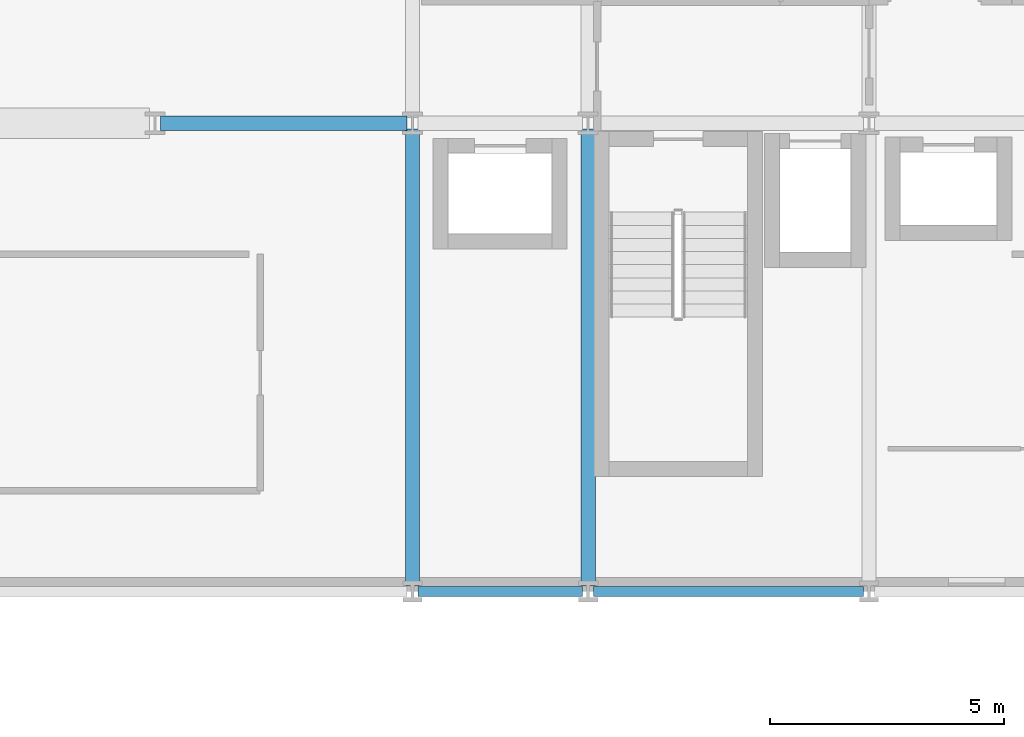
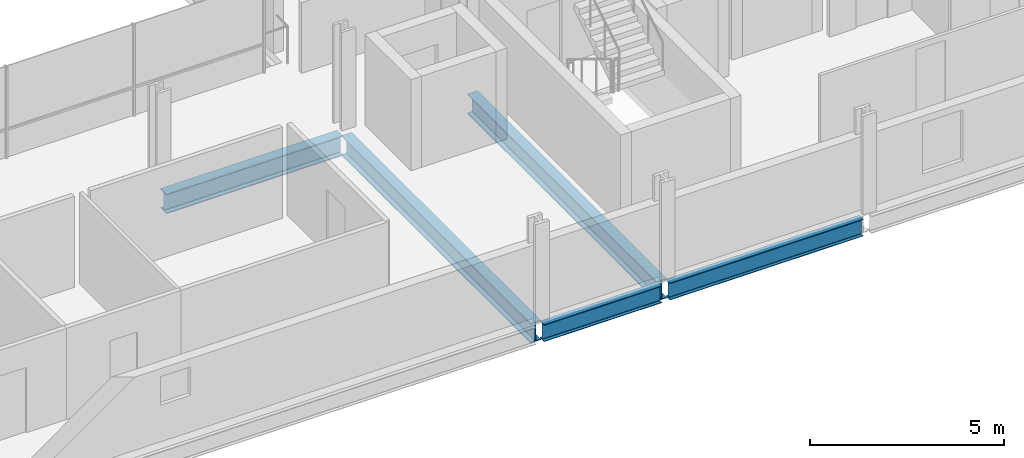
# One storey, part 12 of 40: 5 beams.
"""IFC4 building model written with IfcOpenShell, lengths in metres."""

from ifc_helpers import new_model, si_unit, direction, frame, origin, origin_2d, place, context, subcontext, project, spatial, i_section, extrude, material, material_profile, profile_set, type_object, element, save


model = new_model("IFC4")

# Units and contexts
model_context = context("Model", 3, precision=1e-05, world=origin(), true_north=direction((0.0, 1.0)))
body_context = subcontext(model_context, "Body", "Model", "MODEL_VIEW")
ifc_project = project(units=[si_unit("LENGTHUNIT", "METRE"), si_unit("AREAUNIT", "SQUARE_METRE"), si_unit("VOLUMEUNIT", "CUBIC_METRE"), si_unit("PLANEANGLEUNIT", "RADIAN"), si_unit("MASSUNIT", "GRAM", prefix="KILO")], contexts=[model_context])

# Site, building, storey
site_placement = place(None, origin())
site = spatial("IfcSite", under=ifc_project, at=site_placement, CompositionType="ELEMENT")
building_placement = place(site_placement, origin())
building = spatial("IfcBuilding", under=site, at=building_placement, Name="Brevholm Reach", CompositionType="ELEMENT")
storey_placement = place(building_placement, frame((0.0, 0.0, 31.10009765625)))
storey = spatial("IfcBuildingStorey", under=building, at=storey_placement, Name="L07", CompositionType="ELEMENT", Elevation=31.10009765625)

# Beams
ifc_material_1 = material(Name="Structural Steel S355J2", Category="steel")
ifc_material_profile_1 = material_profile(ifc_material_1, i_section(OverallWidth=0.210693359375, OverallDepth=0.53955078125, WebThickness=0.01171875, FlangeThickness=0.018798828125, FilletRadius=0.0126953125, at=origin_2d()), Name="UKB 533x210x109")
ifc_profile_set_1 = profile_set([ifc_material_profile_1], Name="Structural Steel S355J2")
beam_type_1 = type_object("IfcBeamType", Name="BM-SP539", PredefinedType="SPANDREL", material=ifc_profile_set_1)
beam_1_placement = place(storey_placement, frame((38.3701171875, 0.0, -0.499755859375), z_axis=(1.0, 0.0, 0.0), x_axis=(0.0, 1.0, 0.0)))
element("IfcBeam", 1, at=beam_1_placement, inside=storey, type_object=beam_type_1, Name="L07 SP-01B Framing Beam", PredefinedType="SPANDREL", context=body_context, shape_type="SweptSolid", body=[
    extrude(i_section(OverallWidth=0.210693359375, OverallDepth=0.53955078125, WebThickness=0.01171875, FlangeThickness=0.018798828125, FilletRadius=0.0126953125, at=origin_2d()), origin(), (0.0, 0.0, 1.0), 3.509765625),
])
beam_2_placement = place(storey_placement, frame((42.1201171875, 0.0, -0.499755859375), z_axis=(1.0, 0.0, 0.0), x_axis=(0.0, 1.0, 0.0)))
element("IfcBeam", 2, at=beam_2_placement, inside=storey, type_object=beam_type_1, Name="L07 SP-01B Framing Beam", PredefinedType="SPANDREL", context=body_context, shape_type="SweptSolid", body=[
    extrude(i_section(OverallWidth=0.210693359375, OverallDepth=0.53955078125, WebThickness=0.01171875, FlangeThickness=0.018798828125, FilletRadius=0.0126953125, at=origin_2d()), origin(), (0.0, 0.0, 1.0), 5.759765625),
])
ifc_material_2 = material(Name="Structural Steel S355J2", Category="steel")
ifc_material_profile_2 = material_profile(ifc_material_2, i_section(OverallWidth=0.30712890625, OverallDepth=0.6201171875, WebThickness=0.01416015625, FlangeThickness=0.023681640625, FilletRadius=0.0166015625, at=origin_2d()), Name="UKB 610x305x179")
ifc_profile_set_2 = profile_set([ifc_material_profile_2], Name="Structural Steel S355J2")
beam_type_2 = type_object("IfcBeamType", Name="BM-UKB610H", PredefinedType="USERDEFINED", material=ifc_profile_set_2)
beam_3_placement = place(storey_placement, frame((32.8701171875, 10.0, -0.540283203125), z_axis=(1.0, 0.0, 0.0), x_axis=(0.0, 1.0, 0.0)))
element("IfcBeam", 3, at=beam_3_placement, inside=storey, type_object=beam_type_2, Name="L07 G-06 Framing Beam", ObjectType="GIRDER", PredefinedType="USERDEFINED", context=body_context, shape_type="SweptSolid", body=[
    extrude(i_section(OverallWidth=0.30712890625, OverallDepth=0.6201171875, WebThickness=0.01416015625, FlangeThickness=0.023681640625, FilletRadius=0.0166015625, at=origin_2d()), origin(), (0.0, 0.0, 1.0), 5.259765625),
])
for number, where, z_axis, x_axis, name in (
    (4, (38.25, 0.1201171875, -0.540283203125), (0.0, 1.0, 0.0), (-1.0, 0.0, 0.0), "L07 G-06 Framing Beam"),
    (5, (42.0, 0.1201171875, -0.540283203125), (0.0, 1.0, 0.0), (-1.0, 0.0, 0.0), "L07 G-06 Framing Beam"),
):
    element("IfcBeam", number, at=place(storey_placement, frame(where, z_axis=z_axis, x_axis=x_axis)), inside=storey, type_object=beam_type_2, Name=name, ObjectType="GIRDER", PredefinedType="USERDEFINED", context=body_context, shape_type="SweptSolid", body=[
        extrude(i_section(OverallWidth=0.30712890625, OverallDepth=0.6201171875, WebThickness=0.01416015625, FlangeThickness=0.023681640625, FilletRadius=0.0166015625, at=origin_2d()), origin(), (0.0, 0.0, 1.0), 9.759765625),
    ])

save(model, "model.ifc")
